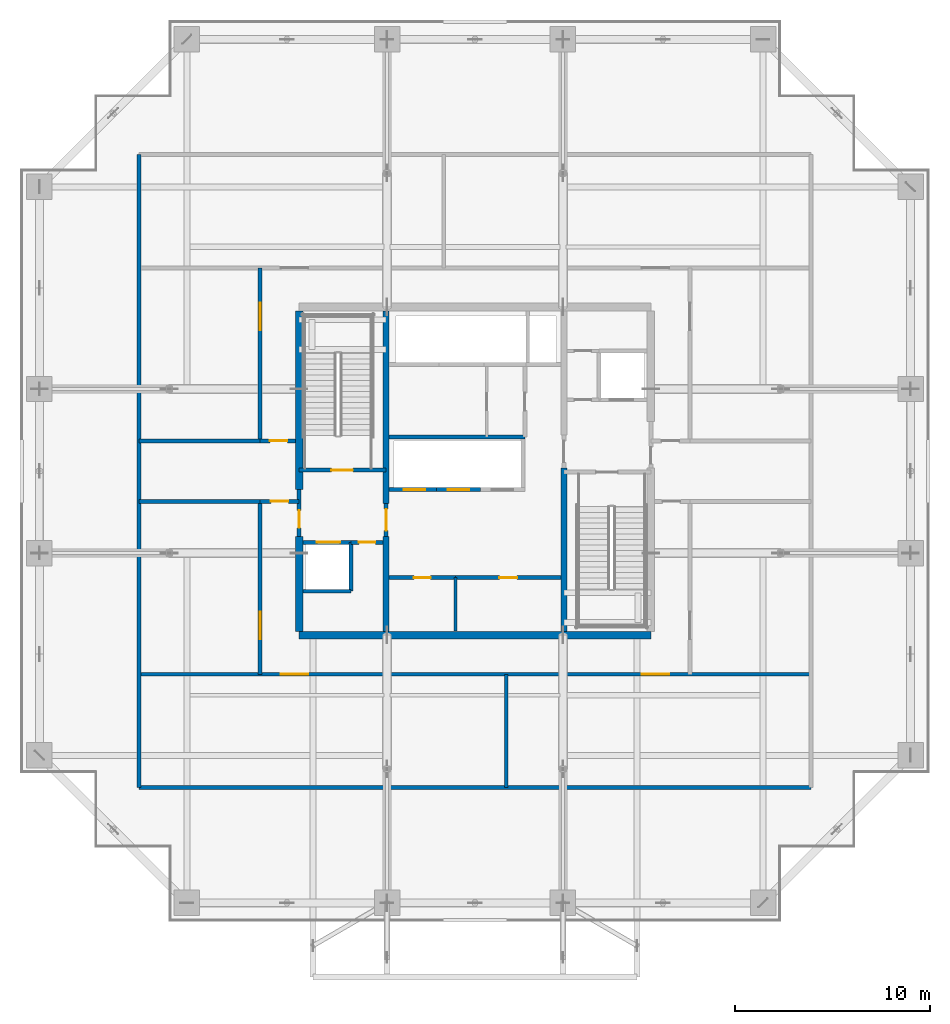
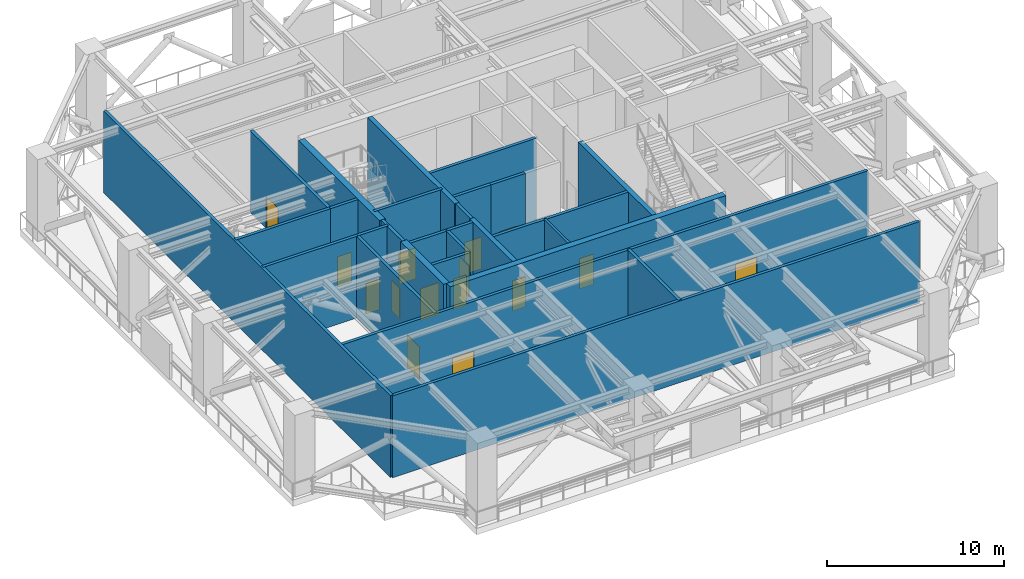
# One storey, part 15 of 22: 29 walls, 15 doors, 15 openings.
"""IFC4 building model written with IfcOpenShell, lengths in metres."""

from ifc_helpers import new_model, si_unit, direction, frame, frame_2d, origin, place, context, subcontext, project, spatial, rectangle, extrude, source, transform, mapped, material, layer, layer_set, type_object, element, fill, save


model = new_model("IFC4")

# Units and contexts
model_context = context("Model", 3, precision=1e-05, world=origin(), true_north=direction((0.0, 1.0)))
body_context = subcontext(model_context, "Body", "Model", "MODEL_VIEW")
ifc_project = project(units=[si_unit("LENGTHUNIT", "METRE"), si_unit("AREAUNIT", "SQUARE_METRE"), si_unit("VOLUMEUNIT", "CUBIC_METRE"), si_unit("PLANEANGLEUNIT", "RADIAN"), si_unit("MASSUNIT", "GRAM", prefix="KILO")], contexts=[model_context])

# Site, building, storey
site_placement = place(None, origin())
site = spatial("IfcSite", under=ifc_project, at=site_placement, CompositionType="ELEMENT")
building_placement = place(site_placement, origin())
building = spatial("IfcBuilding", under=site, at=building_placement, Name="Serunith Strait Residences", CompositionType="ELEMENT")
storey_placement = place(building_placement, frame((0.0, 0.0, 198.89990234375)))
storey = spatial("IfcBuildingStorey", under=building, at=storey_placement, Name="L50", CompositionType="ELEMENT", Elevation=198.89990234375)

# Walls
ifc_material_1 = material(Name="Fire-rated masonry service closet wall", Category="masonry")
ifc_layer_1 = layer(ifc_material_1, 0.14990234375, Name="Fire-rated masonry service closet wall")
ifc_layer_set_1 = layer_set([ifc_layer_1], Name="Fire-rated masonry service closet wall")
wall_type_1 = type_object("IfcWallType", Name="IW-BOH-150", PredefinedType="PARTITIONING", material=ifc_layer_set_1)
wall_1_placement = place(storey_placement, frame((31.39990234375, 17.02001953125, 0.0), z_axis=(0.0, 0.0, 1.0), x_axis=(0.0, 1.0, 0.0)))
element("IfcWall", 1, at=wall_1_placement, inside=storey, type_object=wall_type_1, Name="L50 Partition Wall 017", PredefinedType="PARTITIONING", context=body_context, shape_type="SweptSolid", body=[
    extrude(rectangle(XDim=2.72998046875, YDim=0.14990234375, at=frame_2d((1.364990234375, 0.0))), origin(), (0.0, 0.0, 1.0), 5.64013671875),
])
ifc_material_2 = material(Name="Acoustic concrete block plant wall", Category="concrete")
ifc_layer_2 = layer(ifc_material_2, 0.199951171875, Name="Acoustic concrete block plant wall")
ifc_layer_set_2 = layer_set([ifc_layer_2], Name="Acoustic concrete block plant wall")
wall_type_2 = type_object("IfcWallType", Name="IW-PLANT-200", PredefinedType="STANDARD", material=ifc_layer_set_2)
wall_2_placement = place(storey_placement, frame((15.199951171875, 9.0, 0.0), z_axis=(0.0, 0.0, 1.0), x_axis=(1.0, 0.0, 0.0)))
element("IfcWall", 2, at=wall_2_placement, inside=storey, type_object=wall_type_2, Name="L50 Partition Wall 018", PredefinedType="STANDARD", context=body_context, shape_type="SweptSolid", body=[
    extrude(rectangle(XDim=34.400146484375, YDim=0.199951171875, at=frame_2d((17.2001953125, 0.0))), origin(), (0.0, 0.0, 1.0), 5.64013671875),
])
wall_3_placement = place(storey_placement, frame((15.199951171875, 9.0, 0.0), z_axis=(0.0, 0.0, 1.0), x_axis=(0.0, 1.0, 0.0)))
element("IfcWall", 3, at=wall_3_placement, inside=storey, type_object=wall_type_2, Name="L50 Partition Wall 020", PredefinedType="STANDARD", context=body_context, shape_type="SweptSolid", body=[
    extrude(rectangle(XDim=32.39990234375, YDim=0.199951171875, at=frame_2d((16.199951171875, 0.0))), origin(), (0.0, 0.0, 1.0), 5.64013671875),
])
wall_4_placement = place(storey_placement, frame((15.199951171875, 23.64990234375, 0.0), z_axis=(0.0, 0.0, 1.0), x_axis=(1.0, 0.0, 0.0)))
element("IfcWall", 4, at=wall_4_placement, inside=storey, type_object=wall_type_2, Name="L50 Partition Wall 022", PredefinedType="STANDARD", context=body_context, shape_type="SweptSolid", body=[
    extrude(rectangle(XDim=6.199951171875, YDim=0.199951171875, at=frame_2d((3.10009765625, 0.0))), origin(), (0.0, 0.0, 1.0), 5.64013671875),
])

# Wall, opening, door
wall_5_placement = place(storey_placement, frame((21.402099609375, 23.64990234375, 0.0), z_axis=(0.0, 0.0, 1.0), x_axis=(1.0, 0.0, 0.0)))
wall_5 = element("IfcWall", 5, at=wall_5_placement, inside=storey, type_object=wall_type_2, Name="L50 Partition Wall 023", PredefinedType="STANDARD", context=body_context, shape_type="SweptSolid", body=[
    extrude(rectangle(XDim=1.997802734375, YDim=0.199951171875, at=frame_2d((0.9990234375, 0.0))), origin(), (0.0, 0.0, 1.0), 5.64013671875),
])
opening_1_placement = place(wall_5_placement, frame((0.549072265625, 0.0, 0.0)))
opening_1 = element("IfcOpeningElement", 6, at=opening_1_placement, cuts=wall_5, Name="Opening FD-900", PredefinedType="OPENING", context=body_context, shape_type="SweptSolid", body=[
    extrude(rectangle(XDim=0.89990234375, YDim=2.10009765625, at=frame_2d((0.449951171875, 1.050048828125))), frame((0.0, 0.10986328125, 0.0), z_axis=(0.0, -1.0, 0.0), x_axis=(1.0, 0.0, 0.0)), (0.0, 0.0, 1.0), 0.219970703125),
])
ifc_material_3 = material(Name="Powder-coated steel riser door", Category="steel")
door_type_1 = type_object("IfcDoorType", Name="FD-BOH-900", OperationType="NOTDEFINED", PredefinedType="DOOR", material=ifc_material_3)
shared_shape_1 = source(origin(), body_context, "Body", "SweptSolid", [
    extrude(rectangle(XDim=0.89990234375, YDim=2.10009765625, at=frame_2d((0.449951171875, 1.050048828125))), frame((0.0, 0.02490234375, 0.0), z_axis=(0.0, -1.0, 0.0), x_axis=(1.0, 0.0, 0.0)), (0.0, 0.0, 1.0), 0.050048828125),
])
door_1_placement = place(opening_1_placement, origin())
door_1 = element("IfcDoor", 7, at=door_1_placement, inside=storey, type_object=door_type_1, Name="L50 South-West Plant Corridor Door", OperationType="SINGLE_SWING_LEFT", OverallHeight=2.10009765625, OverallWidth=0.89990234375, PredefinedType="DOOR", context=body_context, shape_type="MappedRepresentation", body=[
    mapped(shared_shape_1, transform((0.0, 0.0, 0.0), scale=1.0)),
])
fill(opening_1, door_1)

# Wall
wall_6_placement = place(storey_placement, frame((15.199951171875, 26.75, 0.0), z_axis=(0.0, 0.0, 1.0), x_axis=(1.0, 0.0, 0.0)))
element("IfcWall", 8, at=wall_6_placement, inside=storey, type_object=wall_type_2, Name="L50 Partition Wall 024", PredefinedType="STANDARD", context=body_context, shape_type="SweptSolid", body=[
    extrude(rectangle(XDim=6.199951171875, YDim=0.199951171875, at=frame_2d((3.10009765625, 0.0))), origin(), (0.0, 0.0, 1.0), 5.64013671875),
])

# Wall, opening, door
wall_7_placement = place(storey_placement, frame((21.402099609375, 26.75, 0.0), z_axis=(0.0, 0.0, 1.0), x_axis=(1.0, 0.0, 0.0)))
wall_7 = element("IfcWall", 9, at=wall_7_placement, inside=storey, type_object=wall_type_2, Name="L50 Partition Wall 025", PredefinedType="STANDARD", context=body_context, shape_type="SweptSolid", body=[
    extrude(rectangle(XDim=1.7978515625, YDim=0.199951171875, at=frame_2d((0.89892578125, 0.0))), origin(), (0.0, 0.0, 1.0), 5.64013671875),
])
opening_2_placement = place(wall_7_placement, frame((0.498046875, 0.0, 0.0)))
opening_2 = element("IfcOpeningElement", 10, at=opening_2_placement, cuts=wall_7, Name="Opening FD-900", PredefinedType="OPENING", context=body_context, shape_type="SweptSolid", body=[
    extrude(rectangle(XDim=0.89990234375, YDim=2.10009765625, at=frame_2d((0.449951171875, 1.050048828125))), frame((0.0, 0.10986328125, 0.0), z_axis=(0.0, -1.0, 0.0), x_axis=(1.0, 0.0, 0.0)), (0.0, 0.0, 1.0), 0.219970703125),
])
door_2_placement = place(opening_2_placement, origin())
door_2 = element("IfcDoor", 11, at=door_2_placement, inside=storey, type_object=door_type_1, Name="L50 North-West Plant Corridor Door", OperationType="SINGLE_SWING_RIGHT", OverallHeight=2.10009765625, OverallWidth=0.89990234375, PredefinedType="DOOR", context=body_context, shape_type="MappedRepresentation", body=[
    mapped(shared_shape_1, transform((0.0, 0.0, 0.0), scale=1.0)),
])
fill(opening_2, door_2)

# Wall, openings, doors
wall_8_placement = place(storey_placement, frame((15.199951171875, 14.800048828125, 0.0), z_axis=(0.0, 0.0, 1.0), x_axis=(1.0, 0.0, 0.0)))
wall_8 = element("IfcWall", 12, at=wall_8_placement, inside=storey, type_object=wall_type_2, Name="L50 Partition Wall 030", PredefinedType="STANDARD", context=body_context, shape_type="SweptSolid", body=[
    extrude(rectangle(XDim=34.400146484375, YDim=0.199951171875, at=frame_2d((17.2001953125, 0.0))), origin(), (0.0, 0.0, 1.0), 5.64013671875),
])
opening_3_placement = place(wall_8_placement, frame((7.260009765625, 0.0, 0.0)))
opening_3 = element("IfcOpeningElement", 13, at=opening_3_placement, cuts=wall_8, Name="Opening FD-1400", PredefinedType="OPENING", context=body_context, shape_type="SweptSolid", body=[
    extrude(rectangle(XDim=1.39990234375, YDim=2.199951171875, at=frame_2d((0.699951171875, 1.10009765625))), frame((0.0, 0.10986328125, 0.0), z_axis=(0.0, -1.0, 0.0), x_axis=(1.0, 0.0, 0.0)), (0.0, 0.0, 1.0), 0.219970703125),
])
opening_4_placement = place(wall_8_placement, frame((25.739990234375, 0.0, 0.0)))
opening_4 = element("IfcOpeningElement", 14, at=opening_4_placement, cuts=wall_8, Name="Opening FD-1400", PredefinedType="OPENING", context=body_context, shape_type="SweptSolid", body=[
    extrude(rectangle(XDim=1.39990234375, YDim=2.199951171875, at=frame_2d((0.699951171875, 1.10009765625))), frame((0.0, 0.10986328125, 0.0), z_axis=(0.0, -1.0, 0.0), x_axis=(1.0, 0.0, 0.0)), (0.0, 0.0, 1.0), 0.219970703125),
])
ifc_material_4 = material(Name="Acoustic double-skin steel plant door", Category="steel")
door_type_2 = type_object("IfcDoorType", Name="FD-PLANT-1400", OperationType="DOUBLE_DOOR_SINGLE_SWING", PredefinedType="DOOR", material=ifc_material_4)
shared_shape_2 = source(origin(), body_context, "Body", "SweptSolid", [
    extrude(rectangle(XDim=1.39990234375, YDim=2.199951171875, at=frame_2d((0.699951171875, 1.10009765625))), frame((0.0, 0.02490234375, 0.0), z_axis=(0.0, -1.0, 0.0), x_axis=(1.0, 0.0, 0.0)), (0.0, 0.0, 1.0), 0.050048828125),
])
door_3_placement = place(opening_3_placement, origin())
door_3 = element("IfcDoor", 15, at=door_3_placement, inside=storey, type_object=door_type_2, Name="L50 Chilled Water Plant Door", OperationType="DOUBLE_DOOR_SINGLE_SWING", OverallHeight=2.199951171875, OverallWidth=1.39990234375, PredefinedType="DOOR", context=body_context, shape_type="MappedRepresentation", body=[
    mapped(shared_shape_2, transform((0.0, 0.0, 0.0), scale=1.0)),
])
fill(opening_3, door_3)
door_4_placement = place(opening_4_placement, origin())
door_4 = element("IfcDoor", 16, at=door_4_placement, inside=storey, type_object=door_type_2, Name="L50 AHU Mechanical Plant Door", OperationType="DOUBLE_DOOR_SINGLE_SWING", OverallHeight=2.199951171875, OverallWidth=1.39990234375, PredefinedType="DOOR", context=body_context, shape_type="MappedRepresentation", body=[
    mapped(shared_shape_2, transform((0.0, 0.0, 0.0), scale=1.0)),
])
fill(opening_4, door_4)

# Wall
wall_9_placement = place(storey_placement, frame((34.0, 9.0, 0.0), z_axis=(0.0, 0.0, 1.0), x_axis=(0.0, 1.0, 0.0)))
element("IfcWall", 17, at=wall_9_placement, inside=storey, type_object=wall_type_2, Name="L50 Partition Wall 032", PredefinedType="STANDARD", context=body_context, shape_type="SweptSolid", body=[
    extrude(rectangle(XDim=5.800048828125, YDim=0.199951171875, at=frame_2d((2.89990234375, 0.0))), origin(), (0.0, 0.0, 1.0), 5.64013671875),
])

# Wall, opening, door
wall_10_placement = place(storey_placement, frame((21.39990234375, 14.800048828125, 0.0), z_axis=(0.0, 0.0, 1.0), x_axis=(0.0, 1.0, 0.0)))
wall_10 = element("IfcWall", 18, at=wall_10_placement, inside=storey, type_object=wall_type_2, Name="L50 Partition Wall 034", PredefinedType="STANDARD", context=body_context, shape_type="SweptSolid", body=[
    extrude(rectangle(XDim=8.849853515625, YDim=0.199951171875, at=frame_2d((4.4248046875, 0.0))), origin(), (0.0, 0.0, 1.0), 5.64013671875),
])
opening_5_placement = place(wall_10_placement, frame((1.7880859375, 0.0, 0.0)))
opening_5 = element("IfcOpeningElement", 19, at=opening_5_placement, cuts=wall_10, Name="Opening FD-1400", PredefinedType="OPENING", context=body_context, shape_type="SweptSolid", body=[
    extrude(rectangle(XDim=1.39990234375, YDim=2.199951171875, at=frame_2d((0.699951171875, 1.10009765625))), frame((0.0, 0.10986328125, 0.0), z_axis=(0.0, -1.0, 0.0), x_axis=(1.0, 0.0, 0.0)), (0.0, 0.0, 1.0), 0.219970703125),
])
door_5_placement = place(opening_5_placement, origin())
door_5 = element("IfcDoor", 20, at=door_5_placement, inside=storey, type_object=door_type_2, Name="L50 South-West Fan Plant Door", OperationType="DOUBLE_DOOR_SINGLE_SWING", OverallHeight=2.199951171875, OverallWidth=1.39990234375, PredefinedType="DOOR", context=body_context, shape_type="MappedRepresentation", body=[
    mapped(shared_shape_2, transform((0.0, 0.0, 0.0), scale=1.0)),
])
fill(opening_5, door_5)

wall_11_placement = place(storey_placement, frame((21.39990234375, 26.75, 0.0), z_axis=(0.0, 0.0, 1.0), x_axis=(0.0, 1.0, 0.0)))
wall_11 = element("IfcWall", 21, at=wall_11_placement, inside=storey, type_object=wall_type_2, Name="L50 Partition Wall 035", PredefinedType="STANDARD", context=body_context, shape_type="SweptSolid", body=[
    extrude(rectangle(XDim=8.85009765625, YDim=0.199951171875, at=frame_2d((4.425048828125, 0.0))), origin(), (0.0, 0.0, 1.0), 5.64013671875),
])
opening_6_placement = place(wall_11_placement, frame((5.662109375, 0.0, 0.0)))
opening_6 = element("IfcOpeningElement", 22, at=opening_6_placement, cuts=wall_11, Name="Opening FD-1400", PredefinedType="OPENING", context=body_context, shape_type="SweptSolid", body=[
    extrude(rectangle(XDim=1.39990234375, YDim=2.199951171875, at=frame_2d((0.699951171875, 1.10009765625))), frame((0.0, 0.10986328125, 0.0), z_axis=(0.0, -1.0, 0.0), x_axis=(1.0, 0.0, 0.0)), (0.0, 0.0, 1.0), 0.219970703125),
])
door_6_placement = place(opening_6_placement, origin())
door_6 = element("IfcDoor", 23, at=door_6_placement, inside=storey, type_object=door_type_2, Name="L50 North-West Fan Plant Door", OperationType="DOUBLE_DOOR_SINGLE_SWING", OverallHeight=2.199951171875, OverallWidth=1.39990234375, PredefinedType="DOOR", context=body_context, shape_type="MappedRepresentation", body=[
    mapped(shared_shape_2, transform((0.0, 0.0, 0.0), scale=1.0)),
])
fill(opening_6, door_6)

ifc_material_5 = material(Name="Autoclaved aerated concrete blockwork", Category="masonry")
ifc_layer_3 = layer(ifc_material_5, 0.199951171875, Name="Autoclaved aerated concrete blockwork")
ifc_layer_set_3 = layer_set([ifc_layer_3], Name="Autoclaved aerated concrete blockwork")
wall_type_3 = type_object("IfcWallType", Name="IW-SHAFT-200", PredefinedType="STANDARD", material=ifc_layer_set_3)
wall_12_placement = place(storey_placement, frame((23.39990234375, 25.25, 0.0), z_axis=(0.0, 0.0, 1.0), x_axis=(1.0, 0.0, 0.0)))
wall_12 = element("IfcWall", 24, at=wall_12_placement, inside=storey, type_object=wall_type_3, Name="L50 ST-1 South Shaft Wall", PredefinedType="STANDARD", context=body_context, shape_type="SweptSolid", body=[
    extrude(rectangle(XDim=4.4501953125, YDim=0.199951171875, at=frame_2d((2.22509765625, 0.0))), origin(), (0.0, 0.0, 1.0), 5.64013671875),
])
opening_7_placement = place(wall_12_placement, frame((1.64990234375, 0.0, 0.0)))
opening_7 = element("IfcOpeningElement", 25, at=opening_7_placement, cuts=wall_12, Name="Opening FD-1100", PredefinedType="OPENING", context=body_context, shape_type="SweptSolid", body=[
    extrude(rectangle(XDim=1.10009765625, YDim=2.14990234375, at=frame_2d((0.550048828125, 1.074951171875))), frame((0.0, 0.10986328125, 0.0), z_axis=(0.0, -1.0, 0.0), x_axis=(1.0, 0.0, 0.0)), (0.0, 0.0, 1.0), 0.219970703125),
])
ifc_material_6 = material(Name="Galvanised steel fire door leaf", Category="steel")
door_type_3 = type_object("IfcDoorType", Name="FD-STAIR-1100", OperationType="NOTDEFINED", PredefinedType="DOOR", material=ifc_material_6)
shared_shape_3 = source(origin(), body_context, "Body", "SweptSolid", [
    extrude(rectangle(XDim=1.10009765625, YDim=2.14990234375, at=frame_2d((0.550048828125, 1.074951171875))), frame((0.0, 0.02490234375, 0.0), z_axis=(0.0, -1.0, 0.0), x_axis=(1.0, 0.0, 0.0)), (0.0, 0.0, 1.0), 0.050048828125),
])
door_7_placement = place(opening_7_placement, origin())
door_7 = element("IfcDoor", 26, at=door_7_placement, inside=storey, type_object=door_type_3, Name="L50 ST-1 Escape Stair Door", OperationType="SINGLE_SWING_RIGHT", OverallHeight=2.14990234375, OverallWidth=1.10009765625, PredefinedType="DOOR", context=body_context, shape_type="MappedRepresentation", body=[
    mapped(shared_shape_3, transform((0.0, 0.0, 0.0), scale=1.0)),
])
fill(opening_7, door_7)

wall_13_placement = place(storey_placement, frame((23.60009765625, 21.550048828125, 0.0), z_axis=(0.0, 0.0, 1.0), x_axis=(1.0, 0.0, 0.0)))
wall_13 = element("IfcWall", 27, at=wall_13_placement, inside=storey, type_object=wall_type_3, Name="L50 FL-1 North Shaft Wall", PredefinedType="STANDARD", context=body_context, shape_type="SweptSolid", body=[
    extrude(rectangle(XDim=2.449951171875, YDim=0.199951171875, at=frame_2d((1.22509765625, 0.0))), origin(), (0.0, 0.0, 1.0), 5.64013671875),
])
opening_8_placement = place(wall_13_placement, frame((0.699951171875, 0.0, 0.0)))
opening_8 = element("IfcOpeningElement", 28, at=opening_8_placement, cuts=wall_13, Name="Opening LD-FF1200", PredefinedType="OPENING", context=body_context, shape_type="SweptSolid", body=[
    extrude(rectangle(XDim=1.199951171875, YDim=2.199951171875, at=frame_2d((0.60009765625, 1.10009765625))), frame((0.0, 0.10986328125, 0.0), z_axis=(0.0, -1.0, 0.0), x_axis=(1.0, 0.0, 0.0)), (0.0, 0.0, 1.0), 0.219970703125),
])
ifc_material_7 = material(Name="Brushed stainless steel landing door", Category="steel")
door_type_4 = type_object("IfcDoorType", Name="LD-FF-1200", OperationType="DOUBLE_DOOR_SLIDING", PredefinedType="DOOR", material=ifc_material_7)
shared_shape_4 = source(origin(), body_context, "Body", "SweptSolid", [
    extrude(rectangle(XDim=1.199951171875, YDim=2.199951171875, at=frame_2d((0.60009765625, 1.10009765625))), frame((0.0, 0.02490234375, 0.0), z_axis=(0.0, -1.0, 0.0), x_axis=(1.0, 0.0, 0.0)), (0.0, 0.0, 1.0), 0.050048828125),
])
door_8_placement = place(opening_8_placement, origin())
door_8 = element("IfcDoor", 29, at=door_8_placement, inside=storey, type_object=door_type_4, Name="L50 FL-1 Landing Door", OperationType="DOUBLE_DOOR_SLIDING", OverallHeight=2.199951171875, OverallWidth=1.199951171875, PredefinedType="DOOR", context=body_context, shape_type="MappedRepresentation", body=[
    mapped(shared_shape_4, transform((0.0, 0.0, 0.0), scale=1.0)),
])
fill(opening_8, door_8)

wall_14_placement = place(storey_placement, frame((28.0, 24.25, 0.0), z_axis=(0.0, 0.0, 1.0), x_axis=(1.0, 0.0, 0.0)))
wall_14 = element("IfcWall", 30, at=wall_14_placement, inside=storey, type_object=wall_type_3, Name="L50 PL-4 South Shaft Wall", PredefinedType="STANDARD", context=body_context, shape_type="SweptSolid", body=[
    extrude(rectangle(XDim=2.425048828125, YDim=0.199951171875, at=frame_2d((1.21240234375, 0.0))), origin(), (0.0, 0.0, 1.0), 5.64013671875),
])
opening_9_placement = place(wall_14_placement, frame((0.75, 0.0, 0.0)))
opening_9 = element("IfcOpeningElement", 31, at=opening_9_placement, cuts=wall_14, Name="Opening LD-1100", PredefinedType="OPENING", context=body_context, shape_type="SweptSolid", body=[
    extrude(rectangle(XDim=1.10009765625, YDim=2.199951171875, at=frame_2d((0.550048828125, 1.10009765625))), frame((0.0, 0.10986328125, 0.0), z_axis=(0.0, -1.0, 0.0), x_axis=(1.0, 0.0, 0.0)), (0.0, 0.0, 1.0), 0.219970703125),
])
ifc_material_8 = material(Name="Pale-champagne stainless landing door")
door_type_5 = type_object("IfcDoorType", Name="LD-LIFT-1100", OperationType="DOUBLE_DOOR_SLIDING", PredefinedType="DOOR", material=ifc_material_8)
shared_shape_5 = source(origin(), body_context, "Body", "SweptSolid", [
    extrude(rectangle(XDim=1.10009765625, YDim=2.199951171875, at=frame_2d((0.550048828125, 1.10009765625))), frame((0.0, 0.02490234375, 0.0), z_axis=(0.0, -1.0, 0.0), x_axis=(1.0, 0.0, 0.0)), (0.0, 0.0, 1.0), 0.050048828125),
])
door_9_placement = place(opening_9_placement, origin())
door_9 = element("IfcDoor", 32, at=door_9_placement, inside=storey, type_object=door_type_5, Name="L50 PL-4 Landing Door", OperationType="DOUBLE_DOOR_SLIDING", OverallHeight=2.199951171875, OverallWidth=1.10009765625, PredefinedType="DOOR", context=body_context, shape_type="MappedRepresentation", body=[
    mapped(shared_shape_5, transform((0.0, 0.0, 0.0), scale=1.0)),
])
fill(opening_9, door_9)

wall_15_placement = place(storey_placement, frame((30.425048828125, 24.25, 0.0), z_axis=(0.0, 0.0, 1.0), x_axis=(1.0, 0.0, 0.0)))
wall_15 = element("IfcWall", 33, at=wall_15_placement, inside=storey, type_object=wall_type_3, Name="L50 PL-5 South Shaft Wall", PredefinedType="STANDARD", context=body_context, shape_type="SweptSolid", body=[
    extrude(rectangle(XDim=2.25, YDim=0.199951171875, at=frame_2d((1.125, 0.0))), origin(), (0.0, 0.0, 1.0), 5.64013671875),
])
opening_10_placement = place(wall_15_placement, frame((0.574951171875, 0.0, 0.0)))
opening_10 = element("IfcOpeningElement", 34, at=opening_10_placement, cuts=wall_15, Name="Opening LD-1100", PredefinedType="OPENING", context=body_context, shape_type="SweptSolid", body=[
    extrude(rectangle(XDim=1.10009765625, YDim=2.199951171875, at=frame_2d((0.550048828125, 1.10009765625))), frame((0.0, 0.10986328125, 0.0), z_axis=(0.0, -1.0, 0.0), x_axis=(1.0, 0.0, 0.0)), (0.0, 0.0, 1.0), 0.219970703125),
])
door_10_placement = place(opening_10_placement, origin())
door_10 = element("IfcDoor", 35, at=door_10_placement, inside=storey, type_object=door_type_5, Name="L50 PL-5 Landing Door", OperationType="DOUBLE_DOOR_SLIDING", OverallHeight=2.199951171875, OverallWidth=1.10009765625, PredefinedType="DOOR", context=body_context, shape_type="MappedRepresentation", body=[
    mapped(shared_shape_5, transform((0.0, 0.0, 0.0), scale=1.0)),
])
fill(opening_10, door_10)

# Walls
wall_16_placement = place(storey_placement, frame((26.050048828125, 19.050048828125, 0.0), z_axis=(0.0, 0.0, 1.0), x_axis=(0.0, 1.0, 0.0)))
element("IfcWall", 36, at=wall_16_placement, inside=storey, type_object=wall_type_3, Name="L50 Partition Wall 001", PredefinedType="STANDARD", context=body_context, shape_type="SweptSolid", body=[
    extrude(rectangle(XDim=2.5, YDim=0.199951171875, at=frame_2d((1.25, 0.0))), origin(), (0.0, 0.0, 1.0), 5.64013671875),
])
wall_17_placement = place(storey_placement, frame((23.60009765625, 19.050048828125, 0.0), z_axis=(0.0, 0.0, 1.0), x_axis=(1.0, 0.0, 0.0)))
element("IfcWall", 37, at=wall_17_placement, inside=storey, type_object=wall_type_3, Name="L50 Partition Wall 002", PredefinedType="STANDARD", context=body_context, shape_type="SweptSolid", body=[
    extrude(rectangle(XDim=2.449951171875, YDim=0.199951171875, at=frame_2d((1.22509765625, 0.0))), origin(), (0.0, 0.0, 1.0), 5.64013671875),
])

# Wall, opening, door
wall_18_placement = place(storey_placement, frame((26.052001953125, 21.550048828125, 0.0), z_axis=(0.0, 0.0, 1.0), x_axis=(1.0, 0.0, 0.0)))
wall_18 = element("IfcWall", 38, at=wall_18_placement, inside=storey, type_object=wall_type_3, Name="L50 Partition Wall 003", PredefinedType="STANDARD", context=body_context, shape_type="SweptSolid", body=[
    extrude(rectangle(XDim=1.64794921875, YDim=0.199951171875, at=frame_2d((0.823974609375, 0.0))), origin(), (0.0, 0.0, 1.0), 5.64013671875),
])
opening_11_placement = place(wall_18_placement, frame((0.39892578125, 0.0, 0.0)))
opening_11 = element("IfcOpeningElement", 39, at=opening_11_placement, cuts=wall_18, Name="Opening FD-850", PredefinedType="OPENING", context=body_context, shape_type="SweptSolid", body=[
    extrude(rectangle(XDim=0.85009765625, YDim=2.10009765625, at=frame_2d((0.425048828125, 1.050048828125))), frame((0.0, 0.10986328125, 0.0), z_axis=(0.0, -1.0, 0.0), x_axis=(1.0, 0.0, 0.0)), (0.0, 0.0, 1.0), 0.219970703125),
])
ifc_material_9 = material(Name="Powder-coated steel service closet door", Category="steel")
door_type_6 = type_object("IfcDoorType", Name="FD-BOH-850", OperationType="NOTDEFINED", PredefinedType="DOOR", material=ifc_material_9)
shared_shape_6 = source(origin(), body_context, "Body", "SweptSolid", [
    extrude(rectangle(XDim=0.85009765625, YDim=2.10009765625, at=frame_2d((0.425048828125, 1.050048828125))), frame((0.0, 0.02490234375, 0.0), z_axis=(0.0, -1.0, 0.0), x_axis=(1.0, 0.0, 0.0)), (0.0, 0.0, 1.0), 0.050048828125),
])
door_11_placement = place(opening_11_placement, origin())
door_11 = element("IfcDoor", 40, at=door_11_placement, inside=storey, type_object=door_type_6, Name="L50 South-West Core Service Door", OperationType="SINGLE_SWING_RIGHT", OverallHeight=2.10009765625, OverallWidth=0.85009765625, PredefinedType="DOOR", context=body_context, shape_type="MappedRepresentation", body=[
    mapped(shared_shape_6, transform((0.0, 0.0, 0.0), scale=1.0)),
])
fill(opening_11, door_11)

wall_19_placement = place(storey_placement, frame((23.39990234375, 21.85205078125, 0.0), z_axis=(0.0, 0.0, 1.0), x_axis=(0.0, 1.0, 0.0)))
wall_19 = element("IfcWall", 41, at=wall_19_placement, inside=storey, type_object=wall_type_3, Name="L50 Partition Wall 007", PredefinedType="STANDARD", context=body_context, shape_type="SweptSolid", body=[
    extrude(rectangle(XDim=2.39599609375, YDim=0.199951171875, at=frame_2d((1.197998046875, 0.0))), origin(), (0.0, 0.0, 1.0), 5.64013671875),
])
opening_12_placement = place(wall_19_placement, frame((0.43701171875, 0.0, 0.0)))
opening_12 = element("IfcOpeningElement", 42, at=opening_12_placement, cuts=wall_19, Name="Opening FD-900", PredefinedType="OPENING", context=body_context, shape_type="SweptSolid", body=[
    extrude(rectangle(XDim=0.89990234375, YDim=2.10009765625, at=frame_2d((0.449951171875, 1.050048828125))), frame((0.0, 0.10986328125, 0.0), z_axis=(0.0, -1.0, 0.0), x_axis=(1.0, 0.0, 0.0)), (0.0, 0.0, 1.0), 0.219970703125),
])
door_12_placement = place(opening_12_placement, origin())
door_12 = element("IfcDoor", 43, at=door_12_placement, inside=storey, type_object=door_type_1, Name="L50 FFL-1 Corridor Fire Door", OperationType="SINGLE_SWING_RIGHT", OverallHeight=2.10009765625, OverallWidth=0.89990234375, PredefinedType="DOOR", context=body_context, shape_type="MappedRepresentation", body=[
    mapped(shared_shape_1, transform((0.0, 0.0, 0.0), scale=1.0)),
])
fill(opening_12, door_12)

wall_20_placement = place(storey_placement, frame((27.85009765625, 21.85205078125, 0.0), z_axis=(0.0, 0.0, 1.0), x_axis=(0.0, 1.0, 0.0)))
wall_20 = element("IfcWall", 44, at=wall_20_placement, inside=storey, type_object=wall_type_3, Name="L50 Partition Wall 009", PredefinedType="STANDARD", context=body_context, shape_type="SweptSolid", body=[
    extrude(rectangle(XDim=1.696044921875, YDim=0.199951171875, at=frame_2d((0.84814453125, 0.0))), origin(), (0.0, 0.0, 1.0), 5.64013671875),
])
opening_13_placement = place(wall_20_placement, frame((0.298095703125, 0.0, 0.0)))
opening_13 = element("IfcOpeningElement", 45, at=opening_13_placement, cuts=wall_20, Name="Opening FD-FFL", PredefinedType="OPENING", context=body_context, shape_type="SweptSolid", body=[
    extrude(rectangle(XDim=1.10009765625, YDim=2.14990234375, at=frame_2d((0.550048828125, 1.074951171875))), frame((0.0, 0.10986328125, 0.0), z_axis=(0.0, -1.0, 0.0), x_axis=(1.0, 0.0, 0.0)), (0.0, 0.0, 1.0), 0.219970703125),
])
ifc_material_10 = material(Name="Glazed steel smoke-lobby fire door", Category="steel")
door_type_7 = type_object("IfcDoorType", Name="FD-FFL-1100", OperationType="NOTDEFINED", PredefinedType="DOOR", material=ifc_material_10)
door_13_placement = place(opening_13_placement, origin())
door_13 = element("IfcDoor", 46, at=door_13_placement, inside=storey, type_object=door_type_7, Name="L50 FFL-1 Lift Lobby Door", OperationType="SINGLE_SWING_RIGHT", OverallHeight=2.14990234375, OverallWidth=1.10009765625, PredefinedType="DOOR", context=body_context, shape_type="MappedRepresentation", body=[
    mapped(shared_shape_3, transform((0.0, 0.0, 0.0), scale=1.0)),
])
fill(opening_13, door_13)

# Wall
wall_21_placement = place(storey_placement, frame((28.0, 26.949951171875, 0.0), z_axis=(0.0, 0.0, 1.0), x_axis=(1.0, 0.0, 0.0)))
element("IfcWall", 47, at=wall_21_placement, inside=storey, type_object=wall_type_3, Name="L50 Partition Wall 011", PredefinedType="STANDARD", context=body_context, shape_type="SweptSolid", body=[
    extrude(rectangle(XDim=6.949951171875, YDim=0.199951171875, at=frame_2d((3.47509765625, 0.0))), origin(), (0.0, 0.0, 1.0), 5.64013671875),
])

# Wall, opening, door
wall_22_placement = place(storey_placement, frame((28.0, 19.75, 0.0), z_axis=(0.0, 0.0, 1.0), x_axis=(1.0, 0.0, 0.0)))
wall_22 = element("IfcWall", 48, at=wall_22_placement, inside=storey, type_object=wall_type_3, Name="L50 Partition Wall 015", PredefinedType="STANDARD", context=body_context, shape_type="SweptSolid", body=[
    extrude(rectangle(XDim=3.39990234375, YDim=0.199951171875, at=frame_2d((1.699951171875, 0.0))), origin(), (0.0, 0.0, 1.0), 5.64013671875),
])
opening_14_placement = place(wall_22_placement, frame((1.27490234375, 0.0, 0.0)))
opening_14 = element("IfcOpeningElement", 49, at=opening_14_placement, cuts=wall_22, Name="Opening FD-850", PredefinedType="OPENING", context=body_context, shape_type="SweptSolid", body=[
    extrude(rectangle(XDim=0.85009765625, YDim=2.10009765625, at=frame_2d((0.425048828125, 1.050048828125))), frame((0.0, 0.10986328125, 0.0), z_axis=(0.0, -1.0, 0.0), x_axis=(1.0, 0.0, 0.0)), (0.0, 0.0, 1.0), 0.219970703125),
])
door_14_placement = place(opening_14_placement, origin())
door_14 = element("IfcDoor", 50, at=door_14_placement, inside=storey, type_object=door_type_6, Name="L50 Booster Pump Door", OperationType="SINGLE_SWING_LEFT", OverallHeight=2.10009765625, OverallWidth=0.85009765625, PredefinedType="DOOR", context=body_context, shape_type="MappedRepresentation", body=[
    mapped(shared_shape_6, transform((0.0, 0.0, 0.0), scale=1.0)),
])
fill(opening_14, door_14)

wall_23_placement = place(storey_placement, frame((31.402099609375, 19.75, 0.0), z_axis=(0.0, 0.0, 1.0), x_axis=(1.0, 0.0, 0.0)))
wall_23 = element("IfcWall", 51, at=wall_23_placement, inside=storey, type_object=wall_type_3, Name="L50 Partition Wall 016", PredefinedType="STANDARD", context=body_context, shape_type="SweptSolid", body=[
    extrude(rectangle(XDim=5.39794921875, YDim=0.199951171875, at=frame_2d((2.698974609375, 0.0))), origin(), (0.0, 0.0, 1.0), 5.64013671875),
])
opening_15_placement = place(wall_23_placement, frame((2.2490234375, 0.0, 0.0)))
opening_15 = element("IfcOpeningElement", 52, at=opening_15_placement, cuts=wall_23, Name="Opening FD-900", PredefinedType="OPENING", context=body_context, shape_type="SweptSolid", body=[
    extrude(rectangle(XDim=0.89990234375, YDim=2.10009765625, at=frame_2d((0.449951171875, 1.050048828125))), frame((0.0, 0.10986328125, 0.0), z_axis=(0.0, -1.0, 0.0), x_axis=(1.0, 0.0, 0.0)), (0.0, 0.0, 1.0), 0.219970703125),
])
door_15_placement = place(opening_15_placement, origin())
door_15 = element("IfcDoor", 53, at=door_15_placement, inside=storey, type_object=door_type_1, Name="L50 Zone Switchroom Door", OperationType="SINGLE_SWING_RIGHT", OverallHeight=2.10009765625, OverallWidth=0.89990234375, PredefinedType="DOOR", context=body_context, shape_type="MappedRepresentation", body=[
    mapped(shared_shape_1, transform((0.0, 0.0, 0.0), scale=1.0)),
])
fill(opening_15, door_15)

# Walls
ifc_material_11 = material(Name="Concrete C70/85", Category="concrete")
ifc_layer_4 = layer(ifc_material_11, 0.300048828125, Name="Concrete C70/85")
ifc_layer_set_4 = layer_set([ifc_layer_4], Name="Concrete C70/85")
wall_type_4 = type_object("IfcWallType", Name="SW-300-C70", PredefinedType="SHEAR", material=ifc_layer_set_4)
wall_24_placement = place(storey_placement, frame((27.85009765625, 17.0, -0.43994140625), z_axis=(0.0, 0.0, 1.0), x_axis=(0.0, 1.0, 0.0)))
element("IfcWall", 54, at=wall_24_placement, inside=storey, type_object=wall_type_4, Name="L50 Core Internal West Web South Pier", PredefinedType="SHEAR", context=body_context, shape_type="SweptSolid", body=[
    extrude(rectangle(XDim=4.85009765625, YDim=0.300048828125, at=frame_2d((2.425048828125, 0.0))), origin(), (0.0, 0.0, 1.0), 6.078125),
])
wall_25_placement = place(storey_placement, frame((27.85009765625, 23.550048828125, -0.43994140625), z_axis=(0.0, 0.0, 1.0), x_axis=(0.0, 1.0, 0.0)))
element("IfcWall", 55, at=wall_25_placement, inside=storey, type_object=wall_type_4, Name="L50 Core Internal West Web North Pier", PredefinedType="SHEAR", context=body_context, shape_type="SweptSolid", body=[
    extrude(rectangle(XDim=9.849853515625, YDim=0.300048828125, at=frame_2d((4.9248046875, 0.0))), origin(), (0.0, 0.0, 1.0), 6.078125),
])
wall_26_placement = place(storey_placement, frame((36.949951171875, 17.0, -0.43994140625), z_axis=(0.0, 0.0, 1.0), x_axis=(0.0, 1.0, 0.0)))
element("IfcWall", 56, at=wall_26_placement, inside=storey, type_object=wall_type_4, Name="L50 Core Internal East Web South Pier", PredefinedType="SHEAR", context=body_context, shape_type="SweptSolid", body=[
    extrude(rectangle(XDim=8.35009765625, YDim=0.300048828125, at=frame_2d((4.175048828125, 0.0))), origin(), (0.0, 0.0, 1.0), 6.078125),
])
ifc_layer_5 = layer(ifc_material_11, 0.39990234375, Name="Concrete C70/85")
ifc_layer_set_5 = layer_set([ifc_layer_5], Name="Concrete C70/85")
wall_type_5 = type_object("IfcWallType", Name="SW-400-C70", PredefinedType="SHEAR", material=ifc_layer_set_5)
wall_27_placement = place(storey_placement, frame((23.39990234375, 16.800048828125, -0.43994140625), z_axis=(0.0, 0.0, 1.0), x_axis=(1.0, 0.0, 0.0)))
element("IfcWall", 57, at=wall_27_placement, inside=storey, type_object=wall_type_5, Name="L50 Core South Shear Wall", PredefinedType="SHEAR", context=body_context, shape_type="SweptSolid", body=[
    extrude(rectangle(XDim=18.0, YDim=0.39990234375, at=frame_2d((9.0, 0.0))), origin(), (0.0, 0.0, 1.0), 6.078125),
])
wall_28_placement = place(storey_placement, frame((23.39990234375, 17.0, -0.43994140625), z_axis=(0.0, 0.0, 1.0), x_axis=(0.0, 1.0, 0.0)))
element("IfcWall", 58, at=wall_28_placement, inside=storey, type_object=wall_type_5, Name="L50 Core West Shear Wall South Pier", PredefinedType="SHEAR", context=body_context, shape_type="SweptSolid", body=[
    extrude(rectangle(XDim=4.85009765625, YDim=0.39990234375, at=frame_2d((2.425048828125, 0.0))), origin(), (0.0, 0.0, 1.0), 6.078125),
])
wall_29_placement = place(storey_placement, frame((23.39990234375, 24.25, -0.43994140625), z_axis=(0.0, 0.0, 1.0), x_axis=(0.0, 1.0, 0.0)))
element("IfcWall", 59, at=wall_29_placement, inside=storey, type_object=wall_type_5, Name="L50 Core West Shear Wall North Pier", PredefinedType="SHEAR", context=body_context, shape_type="SweptSolid", body=[
    extrude(rectangle(XDim=9.14990234375, YDim=0.39990234375, at=frame_2d((4.574951171875, 0.0))), origin(), (0.0, 0.0, 1.0), 6.078125),
])

save(model, "model.ifc")
